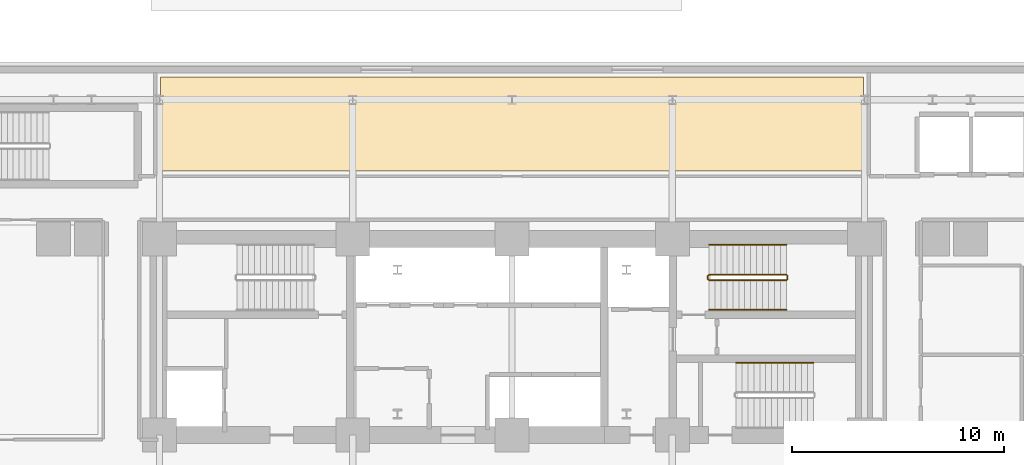
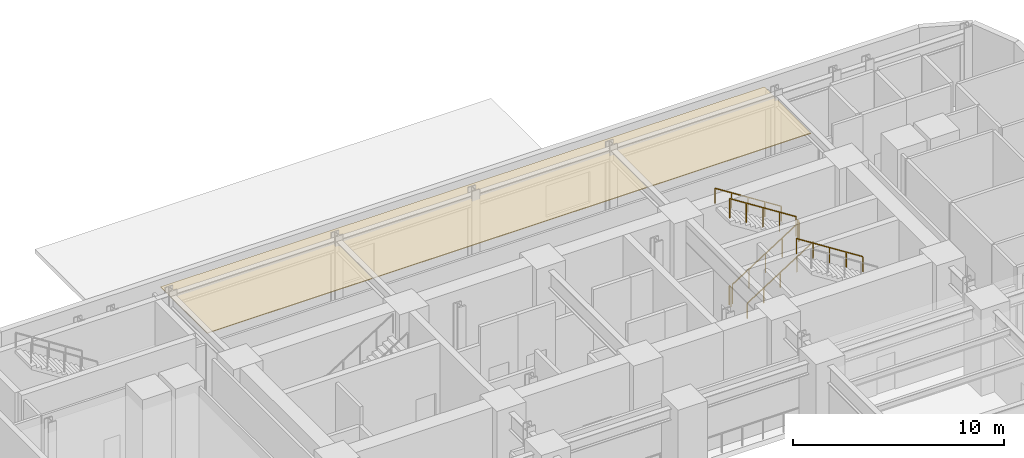
# One storey, part 12 of 12: 7 railings, 1 covering.
"""IFC4 building model written with IfcOpenShell, lengths in metres."""

from ifc_helpers import new_model, si_unit, direction, frame, origin, origin_2d, place, context, subcontext, project, spatial, polyline, rectangle, outline, extrude, material, layer, layer_set, type_object, element, save


model = new_model("IFC4")

# Units and contexts
model_context = context("Model", 3, precision=1e-05, world=origin(), true_north=direction((0.0, 1.0)))
body_context = subcontext(model_context, "Body", "Model", "MODEL_VIEW")
ifc_project = project(units=[si_unit("LENGTHUNIT", "METRE"), si_unit("AREAUNIT", "SQUARE_METRE"), si_unit("VOLUMEUNIT", "CUBIC_METRE"), si_unit("PLANEANGLEUNIT", "RADIAN"), si_unit("MASSUNIT", "GRAM", prefix="KILO")], contexts=[model_context])

# Site, building, storey
site_placement = place(None, origin())
site = spatial("IfcSite", under=ifc_project, at=site_placement, CompositionType="ELEMENT")
building_placement = place(site_placement, origin())
building = spatial("IfcBuilding", under=site, at=building_placement, Name="Zarnavel Station Tower", CompositionType="ELEMENT")
storey_placement = place(building_placement, frame((0.0, 0.0, 5.39990234375)))
storey = spatial("IfcBuildingStorey", under=building, at=storey_placement, Name="L02", CompositionType="ELEMENT", Elevation=5.39990234375)

# Covering
ifc_material_1 = material(Name="Perforated Gypsum and Mineral-Wool Acoustic Ceiling", Category="concrete")
ifc_layer = layer(ifc_material_1, 0.0400390625)
ifc_layer_set = layer_set([ifc_layer], Name="COV_CEIL_ACOUSTIC")
covering_type = type_object("IfcCoveringType", Name="COV_CEIL_ACOUSTIC", PredefinedType="CEILING", material=ifc_layer_set)
covering_placement = place(storey_placement, frame((0.0, 0.0, 4.380126953125)))
element("IfcCovering", 1, at=covering_placement, inside=storey, type_object=covering_type, Name="L02 NRET Acoustic Ceiling", PredefinedType="CEILING", context=body_context, shape_type="SweptSolid", body=[
    extrude(outline(polyline([(12.25, 40.25), (45.35009765625, 40.25), (45.35009765625, 44.669921875), (12.25, 44.669921875), (12.25, 40.25)])), origin(), (0.0, 0.0, 1.0), 0.0400390625),
])

# Railings
ifc_material_2 = material(Name="Painted Steel S355J2 Balustrade", Category="steel")
railing_type_1 = type_object("IfcRailingType", Name="GR_INT_1150", PredefinedType="GUARDRAIL", material=ifc_material_2)
railing_1_placement = place(storey_placement, frame((38.080078125, 35.110107421875, 0.1787109375)))
element("IfcRailing", 2, at=railing_1_placement, inside=storey, type_object=railing_type_1, Name="L02 ST2 stair guard 1", PredefinedType="GUARDRAIL", context=body_context, shape_type="SweptSolid", body=[
    extrude(rectangle(XDim=0.048095703125, YDim=0.048095703125, at=origin_2d()), frame((0.001708984375, 0.0, 1.126953125), z_axis=(0.843137146238, 0.0, 0.537698570422), x_axis=(0.0, 1.0, 0.0)), (0.0, 0.0, 1.0), 4.31298828125),
    extrude(rectangle(XDim=0.0419921875, YDim=0.0419921875, at=origin_2d()), origin(), (0.0, 0.0, 1.0), 1.101806640625),
    extrude(rectangle(XDim=0.0419921875, YDim=0.0419921875, at=origin_2d()), frame((0.909912109375, 0.0, 0.580322265625)), (0.0, 0.0, 1.0), 1.101806640625),
    extrude(rectangle(XDim=0.0419921875, YDim=0.0419921875, at=origin_2d()), frame((1.81982421875, 0.0, 1.16064453125)), (0.0, 0.0, 1.0), 1.101806640625),
    extrude(rectangle(XDim=0.0419921875, YDim=0.0419921875, at=origin_2d()), frame((2.72998046875, 0.0, 1.740966796875)), (0.0, 0.0, 1.0), 1.101806640625),
    extrude(rectangle(XDim=0.0419921875, YDim=0.0419921875, at=origin_2d()), frame((3.639892578125, 0.0, 2.3212890625)), (0.0, 0.0, 1.0), 1.101806640625),
])
railing_2_placement = place(storey_placement, frame((41.77001953125, 35.159912109375, 2.5)))
element("IfcRailing", 3, at=railing_2_placement, inside=storey, type_object=railing_type_1, Name="L02 ST2 stair guard 2", PredefinedType="GUARDRAIL", context=body_context, shape_type="SweptSolid", body=[
    extrude(rectangle(XDim=0.048095703125, YDim=0.048095703125, at=origin_2d()), frame((0.0, 0.001953125, 1.1259765625), z_axis=(0.0, 1.0, 0.0), x_axis=(-1.0, 0.0, 0.0)), (0.0, 0.0, 1.0), 0.15625),
    extrude(rectangle(XDim=0.0419921875, YDim=0.0419921875, at=origin_2d()), origin(), (0.0, 0.0, 1.0), 1.101806640625),
    extrude(rectangle(XDim=0.0419921875, YDim=0.0419921875, at=origin_2d()), frame((0.0, 0.16015625, 0.0)), (0.0, 0.0, 1.0), 1.101806640625),
])
railing_3_placement = place(storey_placement, frame((41.719970703125, 35.3701171875, 2.6787109375)))
element("IfcRailing", 4, at=railing_3_placement, inside=storey, type_object=railing_type_1, Name="L02 ST2 stair guard 3", PredefinedType="GUARDRAIL", context=body_context, shape_type="SweptSolid", body=[
    extrude(rectangle(XDim=0.048095703125, YDim=0.048095703125, at=origin_2d()), frame((-0.001708984375, 0.0, 1.126953125), z_axis=(-0.843137146238, 0.0, 0.537698570422), x_axis=(0.0, -1.0, 0.0)), (0.0, 0.0, 1.0), 4.31298828125),
    extrude(rectangle(XDim=0.0419921875, YDim=0.0419921875, at=origin_2d()), origin(), (0.0, 0.0, 1.0), 1.101806640625),
    extrude(rectangle(XDim=0.0419921875, YDim=0.0419921875, at=origin_2d()), frame((-0.909912109375, 0.0, 0.580322265625)), (0.0, 0.0, 1.0), 1.101806640625),
    extrude(rectangle(XDim=0.0419921875, YDim=0.0419921875, at=origin_2d()), frame((-1.81982421875, 0.0, 1.16064453125)), (0.0, 0.0, 1.0), 1.101806640625),
    extrude(rectangle(XDim=0.0419921875, YDim=0.0419921875, at=origin_2d()), frame((-2.72998046875, 0.0, 1.740966796875)), (0.0, 0.0, 1.0), 1.101806640625),
    extrude(rectangle(XDim=0.0419921875, YDim=0.0419921875, at=origin_2d()), frame((-3.639892578125, 0.0, 2.3212890625)), (0.0, 0.0, 1.0), 1.101806640625),
])
railing_4_placement = place(storey_placement, frame((38.030029296875, 35.159912109375, 0.0)))
element("IfcRailing", 5, at=railing_4_placement, inside=storey, type_object=railing_type_1, Name="L02 ST2 stair guard 4", PredefinedType="GUARDRAIL", context=body_context, shape_type="SweptSolid", body=[
    extrude(rectangle(XDim=0.048095703125, YDim=0.048095703125, at=origin_2d()), frame((0.0, 0.001953125, 1.1259765625), z_axis=(0.0, 1.0, 0.0), x_axis=(-1.0, 0.0, 0.0)), (0.0, 0.0, 1.0), 0.15625),
    extrude(rectangle(XDim=0.0419921875, YDim=0.0419921875, at=origin_2d()), origin(), (0.0, 0.0, 1.0), 1.101806640625),
    extrude(rectangle(XDim=0.0419921875, YDim=0.0419921875, at=origin_2d()), frame((0.0, 0.16015625, 0.0)), (0.0, 0.0, 1.0), 1.101806640625),
])
ifc_material_3 = material(Name="Brushed Stainless Steel S355J2 Handrail", Category="steel")
railing_type_2 = type_object("IfcRailingType", Name="HR_STAIR_900", PredefinedType="HANDRAIL", material=ifc_material_3)
railing_5_placement = place(storey_placement, frame((38.080078125, 33.7099609375, 0.1787109375)))
element("IfcRailing", 6, at=railing_5_placement, inside=storey, type_object=railing_type_2, Name="L02 ST2 stair handrail 1", PredefinedType="HANDRAIL", context=body_context, shape_type="SweptSolid", body=[
    extrude(rectangle(XDim=0.048095703125, YDim=0.048095703125, at=origin_2d()), frame((0.001708984375, 0.0, 0.876953125), z_axis=(0.843137146238, 0.0, 0.537698570422), x_axis=(0.0, 1.0, 0.0)), (0.0, 0.0, 1.0), 4.31298828125),
    extrude(rectangle(XDim=0.0419921875, YDim=0.0419921875, at=origin_2d()), origin(), (0.0, 0.0, 1.0), 0.851806640625),
    extrude(rectangle(XDim=0.0419921875, YDim=0.0419921875, at=origin_2d()), frame((0.909912109375, 0.0, 0.580322265625)), (0.0, 0.0, 1.0), 0.851806640625),
    extrude(rectangle(XDim=0.0419921875, YDim=0.0419921875, at=origin_2d()), frame((1.81982421875, 0.0, 1.16064453125)), (0.0, 0.0, 1.0), 0.851806640625),
    extrude(rectangle(XDim=0.0419921875, YDim=0.0419921875, at=origin_2d()), frame((2.72998046875, 0.0, 1.740966796875)), (0.0, 0.0, 1.0), 0.851806640625),
    extrude(rectangle(XDim=0.0419921875, YDim=0.0419921875, at=origin_2d()), frame((3.639892578125, 0.0, 2.3212890625)), (0.0, 0.0, 1.0), 0.851806640625),
])
for number, where, name in (
    (7, (41.719970703125, 36.77001953125, 2.6787109375), "L02 ST2 stair handrail 2"),
    (8, (42.989990234375, 31.22998046875, 2.6787109375), "L02 ST3 stair handrail 2"),
):
    element("IfcRailing", number, at=place(storey_placement, frame(where)), inside=storey, type_object=railing_type_2, Name=name, PredefinedType="HANDRAIL", context=body_context, shape_type="SweptSolid", body=[
        extrude(rectangle(XDim=0.048095703125, YDim=0.048095703125, at=origin_2d()), frame((-0.001708984375, 0.0, 0.876953125), z_axis=(-0.843137146238, 0.0, 0.537698570422), x_axis=(0.0, -1.0, 0.0)), (0.0, 0.0, 1.0), 4.31298828125),
        extrude(rectangle(XDim=0.0419921875, YDim=0.0419921875, at=origin_2d()), origin(), (0.0, 0.0, 1.0), 0.851806640625),
        extrude(rectangle(XDim=0.0419921875, YDim=0.0419921875, at=origin_2d()), frame((-0.909912109375, 0.0, 0.580322265625)), (0.0, 0.0, 1.0), 0.851806640625),
        extrude(rectangle(XDim=0.0419921875, YDim=0.0419921875, at=origin_2d()), frame((-1.81982421875, 0.0, 1.16064453125)), (0.0, 0.0, 1.0), 0.851806640625),
        extrude(rectangle(XDim=0.0419921875, YDim=0.0419921875, at=origin_2d()), frame((-2.72998046875, 0.0, 1.740966796875)), (0.0, 0.0, 1.0), 0.851806640625),
        extrude(rectangle(XDim=0.0419921875, YDim=0.0419921875, at=origin_2d()), frame((-3.639892578125, 0.0, 2.3212890625)), (0.0, 0.0, 1.0), 0.851806640625),
    ])

save(model, "model.ifc")
